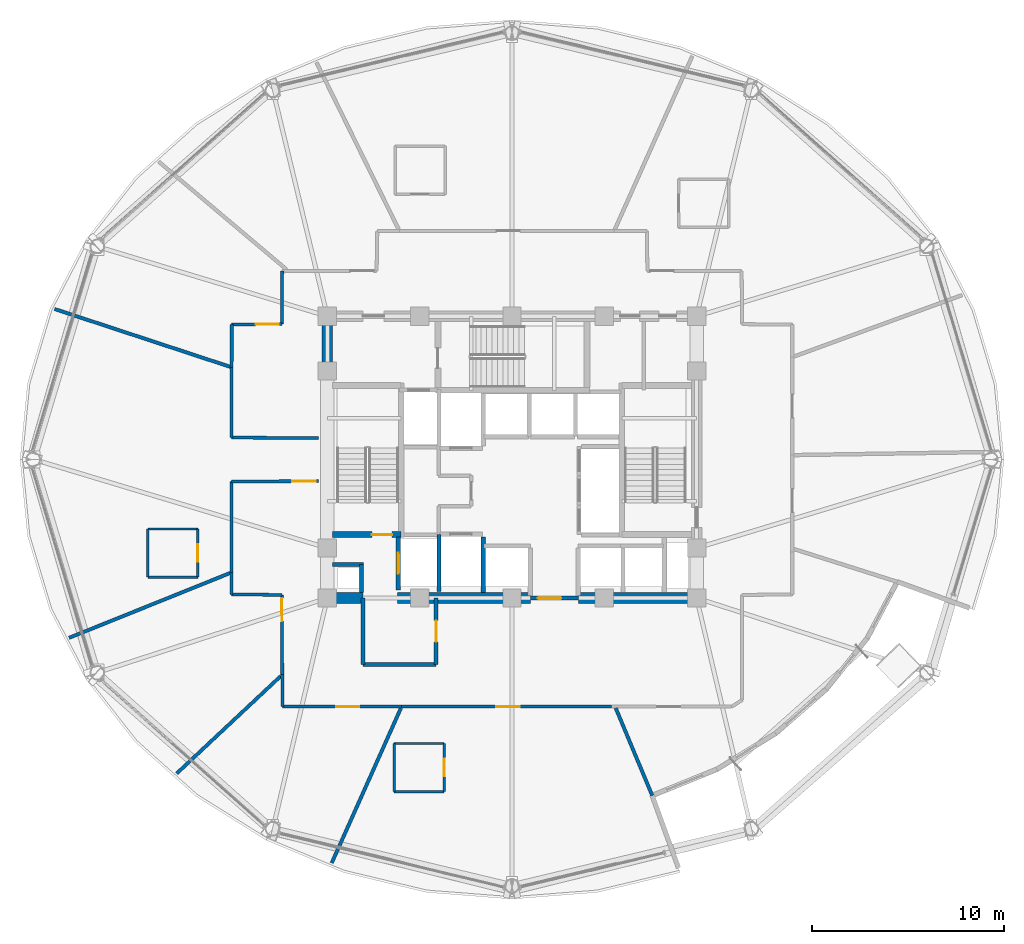
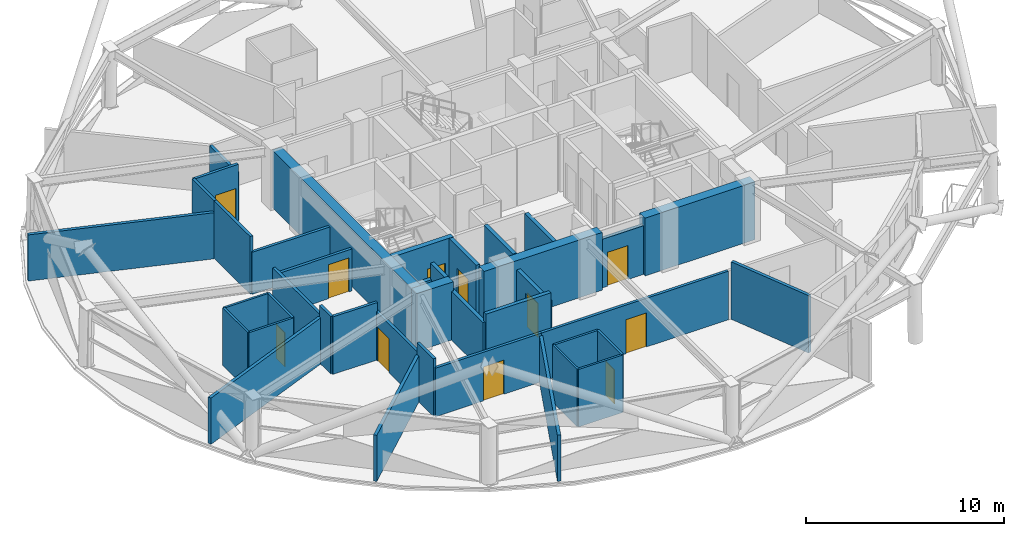
# One storey, part 10 of 17: 40 walls, 11 doors, 11 openings.
"""IFC4 building model written with IfcOpenShell, lengths in metres."""

from ifc_helpers import new_model, si_unit, direction, frame, frame_2d, origin, place, context, subcontext, project, spatial, rectangle, extrude, material, layer, layer_set, type_object, element, fill, save


model = new_model("IFC4")

# Units and contexts
model_context = context("Model", 3, precision=1e-05, world=origin(), true_north=direction((0.0, 1.0)))
body_context = subcontext(model_context, "Body", "Model", "MODEL_VIEW")
ifc_project = project(units=[si_unit("LENGTHUNIT", "METRE"), si_unit("AREAUNIT", "SQUARE_METRE"), si_unit("VOLUMEUNIT", "CUBIC_METRE"), si_unit("PLANEANGLEUNIT", "RADIAN"), si_unit("MASSUNIT", "GRAM", prefix="KILO")], contexts=[model_context])

# Site, building, storey
site_placement = place(None, origin())
site = spatial("IfcSite", under=ifc_project, at=site_placement, CompositionType="ELEMENT")
building_placement = place(site_placement, origin())
building = spatial("IfcBuilding", under=site, at=building_placement, Name="Vantalir Tower", CompositionType="ELEMENT")
storey_placement = place(building_placement, frame((0.0, 0.0, 142.199951171875)))
storey = spatial("IfcBuildingStorey", under=building, at=storey_placement, Name="L35", CompositionType="ELEMENT", Elevation=142.199951171875)

# Walls
ifc_material_1 = material(Name="Moisture-resistant en-suite partition", Category="gypsum")
ifc_layer_1 = layer(ifc_material_1, 0.125)
ifc_layer_set_1 = layer_set([ifc_layer_1], Name="Moisture-resistant en-suite partition")
wall_type_1 = type_object("IfcWallType", Name="WL-BATH-125", PredefinedType="PARTITIONING", material=ifc_layer_set_1)
for number, where, z_axis, x_axis, name in (
    (1, (12.568115234375, 18.888916015625, 0.0), (0.0, 0.0, 1.0), (1.0, 0.0, 0.0), "L35 En-suite 05 South Wall"),
    (2, (12.568115234375, 21.388916015625, 0.0), (0.0, 0.0, 1.0), (1.0, 0.0, 0.0), "L35 En-suite 05 North Wall"),
):
    element("IfcWall", number, at=place(storey_placement, frame(where, z_axis=z_axis, x_axis=x_axis)), inside=storey, type_object=wall_type_1, Name=name, PredefinedType="PARTITIONING", context=body_context, shape_type="SweptSolid", body=[
        extrude(rectangle(XDim=2.599853515625, YDim=0.125, at=frame_2d((1.2998046875, 0.0))), origin(), (0.0, 0.0, 1.0), 3.550048828125),
    ])
wall_1_placement = place(storey_placement, frame((12.568115234375, 18.888916015625, 0.0), z_axis=(0.0, 0.0, 1.0), x_axis=(0.0, 1.0, 0.0)))
element("IfcWall", 3, at=wall_1_placement, inside=storey, type_object=wall_type_1, Name="L35 En-suite 05 West Wall", PredefinedType="PARTITIONING", context=body_context, shape_type="SweptSolid", body=[
    extrude(rectangle(XDim=2.5, YDim=0.125, at=frame_2d((1.25, 0.0))), origin(), (0.0, 0.0, 1.0), 3.550048828125),
])

# Wall, opening, door
wall_2_placement = place(storey_placement, frame((15.16796875, 18.888916015625, 0.0), z_axis=(0.0, 0.0, 1.0), x_axis=(0.0, 1.0, 0.0)))
wall_2 = element("IfcWall", 4, at=wall_2_placement, inside=storey, type_object=wall_type_1, Name="L35 En-suite 05 East Wall", PredefinedType="PARTITIONING", context=body_context, shape_type="SweptSolid", body=[
    extrude(rectangle(XDim=2.5, YDim=0.125, at=frame_2d((1.25, 0.0))), origin(), (0.0, 0.0, 1.0), 3.550048828125),
])
opening_1_placement = place(wall_2_placement, frame((0.800048828125, 0.0, 0.0)))
opening_1 = element("IfcOpeningElement", 5, at=opening_1_placement, cuts=wall_2, Name="Opening D-WC", PredefinedType="OPENING", context=body_context, shape_type="SweptSolid", body=[
    extrude(rectangle(XDim=0.89990234375, YDim=2.10009765625, at=frame_2d((0.449951171875, 1.050048828125))), frame((0.0, 0.072509765625, 0.0), z_axis=(0.0, -1.0, 0.0), x_axis=(1.0, 0.0, 0.0)), (0.0, 0.0, 1.0), 0.14501953125),
])
ifc_material_2 = material(Name="Moisture-resistant hardwood door", Category="wood")
door_type_1 = type_object("IfcDoorType", Name="DR-ENSUITE-900", OperationType="NOTDEFINED", PredefinedType="DOOR", material=ifc_material_2)
door_1_placement = place(opening_1_placement, origin())
door_1 = element("IfcDoor", 6, at=door_1_placement, inside=storey, type_object=door_type_1, Name="L35 En-suite 05 Door", OperationType="SINGLE_SWING_LEFT", OverallHeight=2.10009765625, OverallWidth=0.89990234375, PredefinedType="DOOR", context=body_context, shape_type="SweptSolid", body=[
    extrude(rectangle(XDim=0.89990234375, YDim=2.10009765625, at=frame_2d((0.449951171875, 1.050048828125))), frame((0.0, 0.02490234375, 0.0), z_axis=(0.0, -1.0, 0.0), x_axis=(1.0, 0.0, 0.0)), (0.0, 0.0, 1.0), 0.050048828125),
])
fill(opening_1, door_1)

# Walls
for number, where, z_axis, x_axis, name in (
    (7, (25.3759765625, 7.73388671875, 0.0), (0.0, 0.0, 1.0), (1.0, 0.0, 0.0), "L35 En-suite 08 South Wall"),
    (8, (25.3759765625, 10.23388671875, 0.0), (0.0, 0.0, 1.0), (1.0, 0.0, 0.0), "L35 En-suite 08 North Wall"),
):
    element("IfcWall", number, at=place(storey_placement, frame(where, z_axis=z_axis, x_axis=x_axis)), inside=storey, type_object=wall_type_1, Name=name, PredefinedType="PARTITIONING", context=body_context, shape_type="SweptSolid", body=[
        extrude(rectangle(XDim=2.60009765625, YDim=0.125, at=frame_2d((1.300048828125, 0.0))), origin(), (0.0, 0.0, 1.0), 3.550048828125),
    ])
wall_3_placement = place(storey_placement, frame((25.3759765625, 7.73388671875, 0.0), z_axis=(0.0, 0.0, 1.0), x_axis=(0.0, 1.0, 0.0)))
element("IfcWall", 9, at=wall_3_placement, inside=storey, type_object=wall_type_1, Name="L35 En-suite 08 West Wall", PredefinedType="PARTITIONING", context=body_context, shape_type="SweptSolid", body=[
    extrude(rectangle(XDim=2.5, YDim=0.125, at=frame_2d((1.25, 0.0))), origin(), (0.0, 0.0, 1.0), 3.550048828125),
])

# Wall, opening, door
wall_4_placement = place(storey_placement, frame((27.97607421875, 7.73388671875, 0.0), z_axis=(0.0, 0.0, 1.0), x_axis=(0.0, 1.0, 0.0)))
wall_4 = element("IfcWall", 10, at=wall_4_placement, inside=storey, type_object=wall_type_1, Name="L35 En-suite 08 East Wall", PredefinedType="PARTITIONING", context=body_context, shape_type="SweptSolid", body=[
    extrude(rectangle(XDim=2.5, YDim=0.125, at=frame_2d((1.25, 0.0))), origin(), (0.0, 0.0, 1.0), 3.550048828125),
])
opening_2_placement = place(wall_4_placement, frame((0.800048828125, 0.0, 0.0)))
opening_2 = element("IfcOpeningElement", 11, at=opening_2_placement, cuts=wall_4, Name="Opening D-WC", PredefinedType="OPENING", context=body_context, shape_type="SweptSolid", body=[
    extrude(rectangle(XDim=0.89990234375, YDim=2.10009765625, at=frame_2d((0.449951171875, 1.050048828125))), frame((0.0, 0.072509765625, 0.0), z_axis=(0.0, -1.0, 0.0), x_axis=(1.0, 0.0, 0.0)), (0.0, 0.0, 1.0), 0.14501953125),
])
door_2_placement = place(opening_2_placement, origin())
door_2 = element("IfcDoor", 12, at=door_2_placement, inside=storey, type_object=door_type_1, Name="L35 En-suite 08 Door", OperationType="SINGLE_SWING_RIGHT", OverallHeight=2.10009765625, OverallWidth=0.89990234375, PredefinedType="DOOR", context=body_context, shape_type="SweptSolid", body=[
    extrude(rectangle(XDim=0.89990234375, YDim=2.10009765625, at=frame_2d((0.449951171875, 1.050048828125))), frame((0.0, 0.02490234375, 0.0), z_axis=(0.0, -1.0, 0.0), x_axis=(1.0, 0.0, 0.0)), (0.0, 0.0, 1.0), 0.050048828125),
])
fill(opening_2, door_2)

# Walls
ifc_material_3 = material(Name="Concrete C60/75", Category="concrete")
ifc_layer_2 = layer(ifc_material_3, 0.550048828125)
ifc_layer_set_2 = layer_set([ifc_layer_2], Name="Concrete C60/75")
wall_type_2 = type_object("IfcWallType", Name="WL-CORE-550", PredefinedType="SHEAR", material=ifc_layer_set_2)
wall_5_placement = place(storey_placement, frame((21.625, 17.800048828125, 0.0), z_axis=(0.0, 0.0, 1.0), x_axis=(1.0, 0.0, 0.0)))
element("IfcWall", 13, at=wall_5_placement, inside=storey, type_object=wall_type_2, Name="L35 Core Shear Wall South-West", PredefinedType="SHEAR", context=body_context, shape_type="SweptSolid", body=[
    extrude(rectangle(XDim=2.125, YDim=0.550048828125, at=frame_2d((1.0625, 0.0))), origin(), (0.0, 0.0, 1.0), 3.570068359375),
])
wall_6_placement = place(storey_placement, frame((25.550048828125, 17.800048828125, 0.0), z_axis=(0.0, 0.0, 1.0), x_axis=(1.0, 0.0, 0.0)))
element("IfcWall", 14, at=wall_6_placement, inside=storey, type_object=wall_type_2, Name="L35 Core Shear Wall South-Mid", PredefinedType="SHEAR", context=body_context, shape_type="SweptSolid", body=[
    extrude(rectangle(XDim=6.89990234375, YDim=0.550048828125, at=frame_2d((3.449951171875, 0.0))), origin(), (0.0, 0.0, 1.0), 3.570068359375),
])
wall_7_placement = place(storey_placement, frame((34.949951171875, 17.800048828125, 0.0), z_axis=(0.0, 0.0, 1.0), x_axis=(1.0, 0.0, 0.0)))
element("IfcWall", 15, at=wall_7_placement, inside=storey, type_object=wall_type_2, Name="L35 Core Shear Wall South-East", PredefinedType="SHEAR", context=body_context, shape_type="SweptSolid", body=[
    extrude(rectangle(XDim=6.425048828125, YDim=0.550048828125, at=frame_2d((3.21240234375, 0.0))), origin(), (0.0, 0.0, 1.0), 3.570068359375),
])
wall_8_placement = place(storey_placement, frame((21.89990234375, 18.074951171875, 0.0), z_axis=(0.0, 0.0, 1.0), x_axis=(0.0, 1.0, 0.0)))
element("IfcWall", 16, at=wall_8_placement, inside=storey, type_object=wall_type_2, Name="L35 Core Shear Wall West", PredefinedType="SHEAR", context=body_context, shape_type="SweptSolid", body=[
    extrude(rectangle(XDim=14.10009765625, YDim=0.550048828125, at=frame_2d((7.050048828125, 0.0))), origin(), (0.0, 0.0, 1.0), 3.570068359375),
])
ifc_material_4 = material(Name="Fire-rated hotel corridor acoustic partition", Category="gypsum")
ifc_layer_3 = layer(ifc_material_4, 0.159912109375)
ifc_layer_set_3 = layer_set([ifc_layer_3], Name="Fire-rated hotel corridor acoustic partition")
wall_type_3 = type_object("IfcWallType", Name="WL-CORR-160", PredefinedType="PARTITIONING", material=ifc_layer_set_3)
wall_9_placement = place(storey_placement, frame((21.445068359375, 26.115966796875, 0.0), z_axis=(0.0, 0.0, 1.0), x_axis=(-0.999983292409, 0.005780562522, 0.0)))
element("IfcWall", 17, at=wall_9_placement, inside=storey, type_object=wall_type_3, Name="L35 Corridor Partition 01", PredefinedType="PARTITIONING", context=body_context, shape_type="SweptSolid", body=[
    extrude(rectangle(XDim=4.51904296875, YDim=0.159912109375, at=frame_2d((2.259521484375, 0.0))), origin(), (0.0, 0.0, 1.0), 2.594970703125),
])
wall_10_placement = place(storey_placement, frame((16.926025390625, 26.14208984375, 0.0), z_axis=(0.0, 0.0, 1.0), x_axis=(0.0, 1.0, 0.0)))
element("IfcWall", 18, at=wall_10_placement, inside=storey, type_object=wall_type_3, Name="L35 Corridor Partition 02", PredefinedType="PARTITIONING", context=body_context, shape_type="SweptSolid", body=[
    extrude(rectangle(XDim=3.65380859375, YDim=0.159912109375, at=frame_2d((1.826904296875, 0.0))), origin(), (0.0, 0.0, 1.0), 3.550048828125),
])
wall_11_placement = place(storey_placement, frame((16.926025390625, 29.7958984375, 0.0), z_axis=(0.0, 0.0, 1.0), x_axis=(0.000440674189, 0.999999902903, 0.0)))
element("IfcWall", 19, at=wall_11_placement, inside=storey, type_object=wall_type_3, Name="L35 Corridor Partition 03", PredefinedType="PARTITIONING", context=body_context, shape_type="SweptSolid", body=[
    extrude(rectangle(XDim=2.216064453125, YDim=0.159912109375, at=frame_2d((1.10791015625, 0.0))), origin(), (0.0, 0.0, 1.0), 3.550048828125),
])

# Wall, opening, door
wall_12_placement = place(storey_placement, frame((16.927001953125, 32.011962890625, 0.0), z_axis=(0.0, 0.0, 1.0), x_axis=(0.99994205409, 0.010765150367, 0.0)))
wall_12 = element("IfcWall", 20, at=wall_12_placement, inside=storey, type_object=wall_type_3, Name="L35 Corridor Partition 04", PredefinedType="PARTITIONING", context=body_context, shape_type="SweptSolid", body=[
    extrude(rectangle(XDim=2.608154296875, YDim=0.159912109375, at=frame_2d((1.30419921875, 0.0))), origin(), (0.0, 0.0, 1.0), 3.550048828125),
])
opening_3_placement = place(wall_12_placement, frame((1.248046875, 0.0, 0.0)))
opening_3 = element("IfcOpeningElement", 21, at=opening_3_placement, cuts=wall_12, Name="Opening D-STE", PredefinedType="OPENING", context=body_context, shape_type="SweptSolid", body=[
    extrude(rectangle(XDim=1.199951171875, YDim=2.10009765625, at=frame_2d((0.60009765625, 1.050048828125))), frame((0.0, 0.08984375, 0.0), z_axis=(0.0, -1.0, 0.0), x_axis=(1.0, 0.0, 0.0)), (0.0, 0.0, 1.0), 0.179931640625),
])
ifc_material_5 = material(Name="Solid-core teak veneer suite entrance door", Category="wood")
door_type_2 = type_object("IfcDoorType", Name="DR-SUITE-ENTRY-1200", OperationType="NOTDEFINED", PredefinedType="DOOR", material=ifc_material_5)
door_3_placement = place(opening_3_placement, origin())
door_3 = element("IfcDoor", 22, at=door_3_placement, inside=storey, type_object=door_type_2, Name="L35 Executive Sky Boardroom 04 Door", OperationType="SINGLE_SWING_LEFT", OverallHeight=2.10009765625, OverallWidth=1.199951171875, PredefinedType="DOOR", context=body_context, shape_type="SweptSolid", body=[
    extrude(rectangle(XDim=1.199951171875, YDim=2.10009765625, at=frame_2d((0.60009765625, 1.050048828125))), frame((0.0, 0.02490234375, 0.0), z_axis=(0.0, -1.0, 0.0), x_axis=(1.0, 0.0, 0.0)), (0.0, 0.0, 1.0), 0.050048828125),
])
fill(opening_3, door_3)

# Wall
wall_13_placement = place(storey_placement, frame((19.534912109375, 32.0400390625, 0.0), z_axis=(0.0, 0.0, 1.0), x_axis=(0.006526585281, 0.999978701615, 0.0)))
element("IfcWall", 23, at=wall_13_placement, inside=storey, type_object=wall_type_3, Name="L35 Corridor Partition 05", PredefinedType="PARTITIONING", context=body_context, shape_type="SweptSolid", body=[
    extrude(rectangle(XDim=2.76806640625, YDim=0.159912109375, at=frame_2d((1.384033203125, 0.0))), origin(), (0.0, 0.0, 1.0), 3.006103515625),
])

# Wall, opening, door
wall_14_placement = place(storey_placement, frame((36.672119140625, 12.15087890625, 0.0), z_axis=(0.0, 0.0, 1.0), x_axis=(-1.0, 0.0, 0.0)))
wall_14 = element("IfcWall", 24, at=wall_14_placement, inside=storey, type_object=wall_type_3, Name="L35 Corridor Partition 23", PredefinedType="PARTITIONING", context=body_context, shape_type="SweptSolid", body=[
    extrude(rectangle(XDim=10.9130859375, YDim=0.159912109375, at=frame_2d((5.45654296875, 0.0))), origin(), (0.0, 0.0, 1.0), 3.006103515625),
])
opening_4_placement = place(wall_14_placement, frame((4.781982421875, 0.0, 0.0)))
opening_4 = element("IfcOpeningElement", 25, at=opening_4_placement, cuts=wall_14, Name="Opening D-STE", PredefinedType="OPENING", context=body_context, shape_type="SweptSolid", body=[
    extrude(rectangle(XDim=1.199951171875, YDim=2.10009765625, at=frame_2d((0.60009765625, 1.050048828125))), frame((0.0, 0.08984375, 0.0), z_axis=(0.0, -1.0, 0.0), x_axis=(1.0, 0.0, 0.0)), (0.0, 0.0, 1.0), 0.179931640625),
])
door_4_placement = place(opening_4_placement, origin())
door_4 = element("IfcDoor", 26, at=door_4_placement, inside=storey, type_object=door_type_2, Name="L35 Executive Club Hotel Suite 08 Door", OperationType="SINGLE_SWING_LEFT", OverallHeight=2.10009765625, OverallWidth=1.199951171875, PredefinedType="DOOR", context=body_context, shape_type="SweptSolid", body=[
    extrude(rectangle(XDim=1.199951171875, YDim=2.10009765625, at=frame_2d((0.60009765625, 1.050048828125))), frame((0.0, 0.02490234375, 0.0), z_axis=(0.0, -1.0, 0.0), x_axis=(1.0, 0.0, 0.0)), (0.0, 0.0, 1.0), 0.050048828125),
])
fill(opening_4, door_4)

wall_15_placement = place(storey_placement, frame((25.759033203125, 12.15087890625, 0.0), z_axis=(0.0, 0.0, 1.0), x_axis=(-0.999999980593, 0.000197013275, 0.0)))
wall_15 = element("IfcWall", 27, at=wall_15_placement, inside=storey, type_object=wall_type_3, Name="L35 Corridor Partition 24", PredefinedType="PARTITIONING", context=body_context, shape_type="SweptSolid", body=[
    extrude(rectangle(XDim=6.196044921875, YDim=0.159912109375, at=frame_2d((3.09814453125, 0.0))), origin(), (0.0, 0.0, 1.0), 3.006103515625),
])
opening_5_placement = place(wall_15_placement, frame((2.2060546875, 0.0, 0.0)))
opening_5 = element("IfcOpeningElement", 28, at=opening_5_placement, cuts=wall_15, Name="Opening D-STE", PredefinedType="OPENING", context=body_context, shape_type="SweptSolid", body=[
    extrude(rectangle(XDim=1.199951171875, YDim=2.10009765625, at=frame_2d((0.60009765625, 1.050048828125))), frame((0.0, 0.08984375, 0.0), z_axis=(0.0, -1.0, 0.0), x_axis=(1.0, 0.0, 0.0)), (0.0, 0.0, 1.0), 0.179931640625),
])
door_5_placement = place(opening_5_placement, origin())
door_5 = element("IfcDoor", 29, at=door_5_placement, inside=storey, type_object=door_type_2, Name="L35 Executive Sky Boardroom 07 Door", OperationType="SINGLE_SWING_RIGHT", OverallHeight=2.10009765625, OverallWidth=1.199951171875, PredefinedType="DOOR", context=body_context, shape_type="SweptSolid", body=[
    extrude(rectangle(XDim=1.199951171875, YDim=2.10009765625, at=frame_2d((0.60009765625, 1.050048828125))), frame((0.0, 0.02490234375, 0.0), z_axis=(0.0, -1.0, 0.0), x_axis=(1.0, 0.0, 0.0)), (0.0, 0.0, 1.0), 0.050048828125),
])
fill(opening_5, door_5)

# Wall
wall_16_placement = place(storey_placement, frame((19.56298828125, 12.152099609375, 0.0), z_axis=(0.0, 0.0, 1.0), x_axis=(-0.004842202953, 0.999988276467, 0.0)))
element("IfcWall", 30, at=wall_16_placement, inside=storey, type_object=wall_type_3, Name="L35 Corridor Partition 25", PredefinedType="PARTITIONING", context=body_context, shape_type="SweptSolid", body=[
    extrude(rectangle(XDim=1.663818359375, YDim=0.159912109375, at=frame_2d((0.83203125, 0.0))), origin(), (0.0, 0.0, 1.0), 3.550048828125),
])

# Wall, opening, door
wall_17_placement = place(storey_placement, frame((19.554931640625, 13.81591796875, 0.0), z_axis=(0.0, 0.0, 1.0), x_axis=(-0.004830861504, 0.99998833132, 0.0)))
wall_17 = element("IfcWall", 31, at=wall_17_placement, inside=storey, type_object=wall_type_3, Name="L35 Corridor Partition 26", PredefinedType="PARTITIONING", context=body_context, shape_type="SweptSolid", body=[
    extrude(rectangle(XDim=4.14404296875, YDim=0.159912109375, at=frame_2d((2.072021484375, 0.0))), origin(), (0.0, 0.0, 1.0), 3.006103515625),
])
opening_6_placement = place(wall_17_placement, frame((2.783935546875, 0.0, 0.0)))
opening_6 = element("IfcOpeningElement", 32, at=opening_6_placement, cuts=wall_17, Name="Opening D-STE", PredefinedType="OPENING", context=body_context, shape_type="SweptSolid", body=[
    extrude(rectangle(XDim=1.199951171875, YDim=2.10009765625, at=frame_2d((0.60009765625, 1.050048828125))), frame((0.0, 0.08984375, 0.0), z_axis=(0.0, -1.0, 0.0), x_axis=(1.0, 0.0, 0.0)), (0.0, 0.0, 1.0), 0.179931640625),
])
door_6_placement = place(opening_6_placement, origin())
door_6 = element("IfcDoor", 33, at=door_6_placement, inside=storey, type_object=door_type_2, Name="L35 Club Reading Lounge 06 Door", OperationType="SINGLE_SWING_LEFT", OverallHeight=2.10009765625, OverallWidth=1.199951171875, PredefinedType="DOOR", context=body_context, shape_type="SweptSolid", body=[
    extrude(rectangle(XDim=1.199951171875, YDim=2.10009765625, at=frame_2d((0.60009765625, 1.050048828125))), frame((0.0, 0.02490234375, 0.0), z_axis=(0.0, -1.0, 0.0), x_axis=(1.0, 0.0, 0.0)), (0.0, 0.0, 1.0), 0.050048828125),
])
fill(opening_6, door_6)

# Walls
wall_18_placement = place(storey_placement, frame((19.534912109375, 17.9599609375, 0.0), z_axis=(0.0, 0.0, 1.0), x_axis=(-0.999924866554, 0.012258109444, 0.0)))
element("IfcWall", 34, at=wall_18_placement, inside=storey, type_object=wall_type_3, Name="L35 Corridor Partition 27", PredefinedType="PARTITIONING", context=body_context, shape_type="SweptSolid", body=[
    extrude(rectangle(XDim=2.609130859375, YDim=0.159912109375, at=frame_2d((1.3046875, 0.0))), origin(), (0.0, 0.0, 1.0), 3.550048828125),
])
wall_19_placement = place(storey_placement, frame((16.926025390625, 17.991943359375, 0.0), z_axis=(0.0, 0.0, 1.0), x_axis=(0.0, 1.0, 0.0)))
element("IfcWall", 35, at=wall_19_placement, inside=storey, type_object=wall_type_3, Name="L35 Corridor Partition 28", PredefinedType="PARTITIONING", context=body_context, shape_type="SweptSolid", body=[
    extrude(rectangle(XDim=1.14111328125, YDim=0.159912109375, at=frame_2d((0.570556640625, 0.0))), origin(), (0.0, 0.0, 1.0), 3.550048828125),
])
wall_20_placement = place(storey_placement, frame((16.926025390625, 19.133056640625, 0.0), z_axis=(0.0, 0.0, 1.0), x_axis=(-0.000206857316, 0.999999978605, 0.0)))
element("IfcWall", 36, at=wall_20_placement, inside=storey, type_object=wall_type_3, Name="L35 Corridor Partition 29", PredefinedType="PARTITIONING", context=body_context, shape_type="SweptSolid", body=[
    extrude(rectangle(XDim=4.720947265625, YDim=0.159912109375, at=frame_2d((2.3603515625, 0.0))), origin(), (0.0, 0.0, 1.0), 3.006103515625),
])

# Wall, opening, door
wall_21_placement = place(storey_placement, frame((16.925048828125, 23.85400390625, 0.0), z_axis=(0.0, 0.0, 1.0), x_axis=(0.999979343823, 0.006427435558, 0.0)))
wall_21 = element("IfcWall", 37, at=wall_21_placement, inside=storey, type_object=wall_type_3, Name="L35 Corridor Partition 30", PredefinedType="PARTITIONING", context=body_context, shape_type="SweptSolid", body=[
    extrude(rectangle(XDim=4.52001953125, YDim=0.159912109375, at=frame_2d((2.260009765625, 0.0))), origin(), (0.0, 0.0, 1.0), 2.594970703125),
])
opening_7_placement = place(wall_21_placement, frame((3.159912109375, 0.0, 0.0)))
opening_7 = element("IfcOpeningElement", 38, at=opening_7_placement, cuts=wall_21, Name="Opening D-STE", PredefinedType="OPENING", context=body_context, shape_type="SweptSolid", body=[
    extrude(rectangle(XDim=1.199951171875, YDim=2.10009765625, at=frame_2d((0.60009765625, 1.050048828125))), frame((0.0, 0.08984375, 0.0), z_axis=(0.0, -1.0, 0.0), x_axis=(1.0, 0.0, 0.0)), (0.0, 0.0, 1.0), 0.179931640625),
])
door_7_placement = place(opening_7_placement, origin())
door_7 = element("IfcDoor", 39, at=door_7_placement, inside=storey, type_object=door_type_2, Name="L35 Executive Club Hotel Suite 05 Door", OperationType="SINGLE_SWING_RIGHT", OverallHeight=2.10009765625, OverallWidth=1.199951171875, PredefinedType="DOOR", context=body_context, shape_type="SweptSolid", body=[
    extrude(rectangle(XDim=1.199951171875, YDim=2.10009765625, at=frame_2d((0.60009765625, 1.050048828125))), frame((0.0, 0.02490234375, 0.0), z_axis=(0.0, -1.0, 0.0), x_axis=(1.0, 0.0, 0.0)), (0.0, 0.0, 1.0), 0.050048828125),
])
fill(opening_7, door_7)

# Wall
ifc_material_6 = material(Name="Concrete blockwork with fireboard lining", Category="masonry")
ifc_layer_4 = layer(ifc_material_6, 0.219970703125)
ifc_layer_set_4 = layer_set([ifc_layer_4], Name="Concrete blockwork with fireboard lining")
wall_type_4 = type_object("IfcWallType", Name="WL-FFL-220", PredefinedType="PARTITIONING", material=ifc_layer_set_4)
wall_22_placement = place(storey_placement, frame((30.0, 18.080078125, 0.0), z_axis=(0.0, 0.0, 1.0), x_axis=(0.0, 1.0, 0.0)))
element("IfcWall", 40, at=wall_22_placement, inside=storey, type_object=wall_type_4, Name="L35 Service Lift SV1 East Shaft Wall", PredefinedType="PARTITIONING", context=body_context, shape_type="SweptSolid", body=[
    extrude(rectangle(XDim=2.89990234375, YDim=0.219970703125, at=frame_2d((1.449951171875, 0.0))), origin(), (0.0, 0.0, 1.0), 3.545166015625),
])

# Wall, opening, door
wall_23_placement = place(storey_placement, frame((32.449951171875, 17.800048828125, 0.0), z_axis=(0.0, 0.0, 1.0), x_axis=(1.0, 0.0, 0.0)))
wall_23 = element("IfcWall", 41, at=wall_23_placement, inside=storey, type_object=wall_type_4, Name="L35 Passenger Lift Lobby South Wall", PredefinedType="PARTITIONING", context=body_context, shape_type="SweptSolid", body=[
    extrude(rectangle(XDim=2.5, YDim=0.219970703125, at=frame_2d((1.25, 0.0))), origin(), (0.0, 0.0, 1.0), 3.006103515625),
])
opening_8_placement = place(wall_23_placement, frame((0.39990234375, 0.0, 0.0)))
opening_8 = element("IfcOpeningElement", 42, at=opening_8_placement, cuts=wall_23, Name="Opening D-STE", PredefinedType="OPENING", context=body_context, shape_type="SweptSolid", body=[
    extrude(rectangle(XDim=1.199951171875, YDim=2.10009765625, at=frame_2d((0.60009765625, 1.050048828125))), frame((0.0, 0.119873046875, 0.0), z_axis=(0.0, -1.0, 0.0), x_axis=(1.0, 0.0, 0.0)), (0.0, 0.0, 1.0), 0.239990234375),
])
door_8_placement = place(opening_8_placement, origin())
door_8 = element("IfcDoor", 43, at=door_8_placement, inside=storey, type_object=door_type_2, Name="L35 Passenger Lift Lobby Concourse Door", OperationType="SINGLE_SWING_RIGHT", OverallHeight=2.10009765625, OverallWidth=1.199951171875, PredefinedType="DOOR", context=body_context, shape_type="SweptSolid", body=[
    extrude(rectangle(XDim=1.199951171875, YDim=2.10009765625, at=frame_2d((0.60009765625, 1.050048828125))), frame((0.0, 0.02490234375, 0.0), z_axis=(0.0, -1.0, 0.0), x_axis=(1.0, 0.0, 0.0)), (0.0, 0.0, 1.0), 0.050048828125),
])
fill(opening_8, door_8)

# Walls
wall_24_placement = place(storey_placement, frame((23.679931640625, 18.074951171875, 0.0), z_axis=(0.0, 0.0, 1.0), x_axis=(0.0, 1.0, 0.0)))
element("IfcWall", 44, at=wall_24_placement, inside=storey, type_object=wall_type_4, Name="L35 West MEP Riser Wall E", PredefinedType="PARTITIONING", context=body_context, shape_type="SweptSolid", body=[
    extrude(rectangle(XDim=1.47509765625, YDim=0.219970703125, at=frame_2d((0.737548828125, 0.0))), origin(), (0.0, 0.0, 1.0), 3.550048828125),
])
wall_25_placement = place(storey_placement, frame((22.175048828125, 19.550048828125, 0.0), z_axis=(0.0, 0.0, 1.0), x_axis=(1.0, 0.0, 0.0)))
element("IfcWall", 45, at=wall_25_placement, inside=storey, type_object=wall_type_4, Name="L35 West MEP Riser Wall N", PredefinedType="PARTITIONING", context=body_context, shape_type="SweptSolid", body=[
    extrude(rectangle(XDim=1.614990234375, YDim=0.219970703125, at=frame_2d((0.8076171875, 0.0))), origin(), (0.0, 0.0, 1.0), 2.594970703125),
])

# Wall, opening, door
wall_26_placement = place(storey_placement, frame((25.590087890625, 18.219970703125, 0.0), z_axis=(0.0, 0.0, 1.0), x_axis=(0.0, 1.0, 0.0)))
wall_26 = element("IfcWall", 46, at=wall_26_placement, inside=storey, type_object=wall_type_4, Name="L35 Lift FL1 Shaft Front Wall", PredefinedType="PARTITIONING", context=body_context, shape_type="SweptSolid", body=[
    extrude(rectangle(XDim=2.760009765625, YDim=0.219970703125, at=frame_2d((1.3798828125, 0.0))), origin(), (0.0, 0.0, 1.0), 3.550048828125),
])
opening_9_placement = place(wall_26_placement, frame((0.830078125, 0.0, 0.0)))
opening_9 = element("IfcOpeningElement", 47, at=opening_9_placement, cuts=wall_26, Name="Opening LD-FL1", PredefinedType="OPENING", context=body_context, shape_type="SweptSolid", body=[
    extrude(rectangle(XDim=1.10009765625, YDim=2.199951171875, at=frame_2d((0.550048828125, 1.10009765625))), frame((0.0, 0.119873046875, 0.0), z_axis=(0.0, -1.0, 0.0), x_axis=(1.0, 0.0, 0.0)), (0.0, 0.0, 1.0), 0.239990234375),
])
ifc_material_7 = material(Name="Brushed stainless-steel sliding lift landing door", Category="steel")
door_type_3 = type_object("IfcDoorType", Name="DR-LIFT-LANDING-1100", OperationType="DOUBLE_DOOR_SLIDING", PredefinedType="DOOR", material=ifc_material_7)
door_9_placement = place(opening_9_placement, origin())
door_9 = element("IfcDoor", 48, at=door_9_placement, inside=storey, type_object=door_type_3, Name="L35 Lift Landing Door FL1", OperationType="DOUBLE_DOOR_SLIDING", OverallHeight=2.199951171875, OverallWidth=1.10009765625, PredefinedType="DOOR", context=body_context, shape_type="SweptSolid", body=[
    extrude(rectangle(XDim=1.10009765625, YDim=2.199951171875, at=frame_2d((0.550048828125, 1.10009765625))), frame((0.0, 0.02490234375, 0.0), z_axis=(0.0, -1.0, 0.0), x_axis=(1.0, 0.0, 0.0)), (0.0, 0.0, 1.0), 0.050048828125),
])
fill(opening_9, door_9)

# Walls
wall_27_placement = place(storey_placement, frame((27.699951171875, 18.14990234375, 0.0), z_axis=(0.0, 0.0, 1.0), x_axis=(0.0, 1.0, 0.0)))
element("IfcWall", 49, at=wall_27_placement, inside=storey, type_object=wall_type_4, Name="L35 Fire Lift FL1 Dividing Wall", PredefinedType="PARTITIONING", context=body_context, shape_type="SweptSolid", body=[
    extrude(rectangle(XDim=2.9501953125, YDim=0.219970703125, at=frame_2d((1.47509765625, 0.0))), origin(), (0.0, 0.0, 1.0), 3.550048828125),
])
wall_28_placement = place(storey_placement, frame((23.75, 14.35009765625, 0.0), z_axis=(0.0, 0.0, 1.0), x_axis=(0.0, 1.0, 0.0)))
element("IfcWall", 50, at=wall_28_placement, inside=storey, type_object=wall_type_4, Name="L35 Firefighting Lobby West Outer W", PredefinedType="PARTITIONING", context=body_context, shape_type="SweptSolid", body=[
    extrude(rectangle(XDim=3.449951171875, YDim=0.219970703125, at=frame_2d((1.72509765625, 0.0))), origin(), (0.0, 0.0, 1.0), 3.006103515625),
])
wall_29_placement = place(storey_placement, frame((23.75, 14.35009765625, 0.0), z_axis=(0.0, 0.0, 1.0), x_axis=(1.0, 0.0, 0.0)))
element("IfcWall", 51, at=wall_29_placement, inside=storey, type_object=wall_type_4, Name="L35 Firefighting Lobby West South Wall", PredefinedType="PARTITIONING", context=body_context, shape_type="SweptSolid", body=[
    extrude(rectangle(XDim=3.800048828125, YDim=0.219970703125, at=frame_2d((1.89990234375, 0.0))), origin(), (0.0, 0.0, 1.0), 3.550048828125),
])

# Wall, opening, door
wall_30_placement = place(storey_placement, frame((27.550048828125, 14.35009765625, 0.0), z_axis=(0.0, 0.0, 1.0), x_axis=(0.0, 1.0, 0.0)))
wall_30 = element("IfcWall", 52, at=wall_30_placement, inside=storey, type_object=wall_type_4, Name="L35 Firefighting Lobby West East Wall", PredefinedType="PARTITIONING", context=body_context, shape_type="SweptSolid", body=[
    extrude(rectangle(XDim=3.449951171875, YDim=0.219970703125, at=frame_2d((1.72509765625, 0.0))), origin(), (0.0, 0.0, 1.0), 3.006103515625),
])
opening_10_placement = place(wall_30_placement, frame((1.175048828125, 0.0, 0.0)))
opening_10 = element("IfcOpeningElement", 53, at=opening_10_placement, cuts=wall_30, Name="Opening D-FFL", PredefinedType="OPENING", context=body_context, shape_type="SweptSolid", body=[
    extrude(rectangle(XDim=1.10009765625, YDim=2.10009765625, at=frame_2d((0.550048828125, 1.050048828125))), frame((0.0, 0.119873046875, 0.0), z_axis=(0.0, -1.0, 0.0), x_axis=(1.0, 0.0, 0.0)), (0.0, 0.0, 1.0), 0.239990234375),
])
ifc_material_8 = material(Name="Fire-rated acoustic steel door", Category="steel")
door_type_4 = type_object("IfcDoorType", Name="DR-FIRE-LOBBY-1100", OperationType="NOTDEFINED", PredefinedType="DOOR", material=ifc_material_8)
door_10_placement = place(opening_10_placement, origin())
door_10 = element("IfcDoor", 54, at=door_10_placement, inside=storey, type_object=door_type_4, Name="L35 Firefighting Lobby West Access Door", OperationType="SINGLE_SWING_RIGHT", OverallHeight=2.10009765625, OverallWidth=1.10009765625, PredefinedType="DOOR", context=body_context, shape_type="SweptSolid", body=[
    extrude(rectangle(XDim=1.10009765625, YDim=2.10009765625, at=frame_2d((0.550048828125, 1.050048828125))), frame((0.0, 0.02490234375, 0.0), z_axis=(0.0, -1.0, 0.0), x_axis=(1.0, 0.0, 0.0)), (0.0, 0.0, 1.0), 0.050048828125),
])
fill(opening_10, door_10)

# Walls
ifc_material_9 = material(Name="Twin-stud acoustic fire-rated gypsum partition", Category="gypsum")
ifc_layer_5 = layer(ifc_material_9, 0.179931640625)
ifc_layer_set_5 = layer_set([ifc_layer_5], Name="Twin-stud acoustic fire-rated gypsum partition")
wall_type_5 = type_object("IfcWallType", Name="WL-GUEST-180", PredefinedType="PARTITIONING", material=ifc_layer_set_5)
wall_31_placement = place(storey_placement, frame((16.85009765625, 29.821044921875, 0.0), z_axis=(0.0, 0.0, 1.0), x_axis=(-0.949897717187, 0.312560917074, 0.0)))
element("IfcWall", 55, at=wall_31_placement, inside=storey, type_object=wall_type_5, Name="L35 Radial Suite Partition 05", PredefinedType="PARTITIONING", context=body_context, shape_type="SweptSolid", body=[
    extrude(rectangle(XDim=9.61376953125, YDim=0.179931640625, at=frame_2d((4.806884765625, 0.0))), origin(), (0.0, 0.0, 1.0), 2.85205078125),
])
wall_32_placement = place(storey_placement, frame((16.85009765625, 19.10302734375, 0.0), z_axis=(0.0, 0.0, 1.0), x_axis=(-0.927642909824, -0.373468381331, 0.0)))
element("IfcWall", 56, at=wall_32_placement, inside=storey, type_object=wall_type_5, Name="L35 Radial Suite Partition 06", PredefinedType="PARTITIONING", context=body_context, shape_type="SweptSolid", body=[
    extrude(rectangle(XDim=9.03173828125, YDim=0.179931640625, at=frame_2d((4.515869140625, 0.0))), origin(), (0.0, 0.0, 1.0), 2.85205078125),
])
wall_33_placement = place(storey_placement, frame((19.4599609375, 13.72705078125, 0.0), z_axis=(0.0, 0.0, 1.0), x_axis=(-0.729938963031, -0.683512333648, 0.0)))
element("IfcWall", 57, at=wall_33_placement, inside=storey, type_object=wall_type_5, Name="L35 Radial Suite Partition 07", PredefinedType="PARTITIONING", context=body_context, shape_type="SweptSolid", body=[
    extrude(rectangle(XDim=7.388427734375, YDim=0.179931640625, at=frame_2d((3.6943359375, 0.0))), origin(), (0.0, 0.0, 1.0), 2.85205078125),
])
wall_34_placement = place(storey_placement, frame((25.72412109375, 12.074951171875, 0.0), z_axis=(0.0, 0.0, 1.0), x_axis=(-0.407920906763, -0.913017269183, 0.0)))
element("IfcWall", 58, at=wall_34_placement, inside=storey, type_object=wall_type_5, Name="L35 Radial Suite Partition 08", PredefinedType="PARTITIONING", context=body_context, shape_type="SweptSolid", body=[
    extrude(rectangle(XDim=8.81591796875, YDim=0.179931640625, at=frame_2d((4.407958984375, 0.0))), origin(), (0.0, 0.0, 1.0), 2.85205078125),
])
wall_35_placement = place(storey_placement, frame((36.89404296875, 12.074951171875, 0.0), z_axis=(0.0, 0.0, 1.0), x_axis=(0.385248999584, -0.922812661551, 0.0)))
element("IfcWall", 59, at=wall_35_placement, inside=storey, type_object=wall_type_5, Name="L35 Radial Suite Partition 09", PredefinedType="PARTITIONING", context=body_context, shape_type="SweptSolid", body=[
    extrude(rectangle(XDim=4.924072265625, YDim=0.179931640625, at=frame_2d((2.4619140625, 0.0))), origin(), (0.0, 0.0, 1.0), 3.550048828125),
])

# Wall, opening, door
ifc_material_10 = material(Name="Concrete C50/60", Category="concrete")
ifc_layer_6 = layer(ifc_material_10, 0.300048828125)
ifc_layer_set_6 = layer_set([ifc_layer_6], Name="Concrete C50/60")
wall_type_6 = type_object("IfcWallType", Name="WL-STAIR-300", PredefinedType="SHEAR", material=ifc_layer_set_6)
wall_36_placement = place(storey_placement, frame((22.175048828125, 21.10009765625, 0.0), z_axis=(0.0, 0.0, 1.0), x_axis=(1.0, 0.0, 0.0)))
wall_36 = element("IfcWall", 60, at=wall_36_placement, inside=storey, type_object=wall_type_6, Name="L35 Stair ST1 South Wall", PredefinedType="SHEAR", context=body_context, shape_type="SweptSolid", body=[
    extrude(rectangle(XDim=3.56494140625, YDim=0.300048828125, at=frame_2d((1.782470703125, 0.0))), origin(), (0.0, 0.0, 1.0), 3.570068359375),
])
opening_11_placement = place(wall_36_placement, frame((2.044921875, 0.0, 0.0)))
opening_11 = element("IfcOpeningElement", 61, at=opening_11_placement, cuts=wall_36, Name="Opening D-ST", PredefinedType="OPENING", context=body_context, shape_type="SweptSolid", body=[
    extrude(rectangle(XDim=1.050048828125, YDim=2.10009765625, at=frame_2d((0.52490234375, 1.050048828125))), frame((0.0, 0.159912109375, 0.0), z_axis=(0.0, -1.0, 0.0), x_axis=(1.0, 0.0, 0.0)), (0.0, 0.0, 1.0), 0.320068359375),
])
ifc_material_11 = material(Name="Fire-rated steel door leaf", Category="steel")
door_type_5 = type_object("IfcDoorType", Name="DR-FIRE-STAIR-1050", OperationType="NOTDEFINED", PredefinedType="DOOR", material=ifc_material_11)
door_11_placement = place(opening_11_placement, origin())
door_11 = element("IfcDoor", 62, at=door_11_placement, inside=storey, type_object=door_type_5, Name="L35 Exit Stair ST1 Fire Door", OperationType="SINGLE_SWING_RIGHT", OverallHeight=2.10009765625, OverallWidth=1.050048828125, PredefinedType="DOOR", context=body_context, shape_type="SweptSolid", body=[
    extrude(rectangle(XDim=1.050048828125, YDim=2.10009765625, at=frame_2d((0.52490234375, 1.050048828125))), frame((0.0, 0.02490234375, 0.0), z_axis=(0.0, -1.0, 0.0), x_axis=(1.0, 0.0, 0.0)), (0.0, 0.0, 1.0), 0.050048828125),
])
fill(opening_11, door_11)

save(model, "model.ifc")
